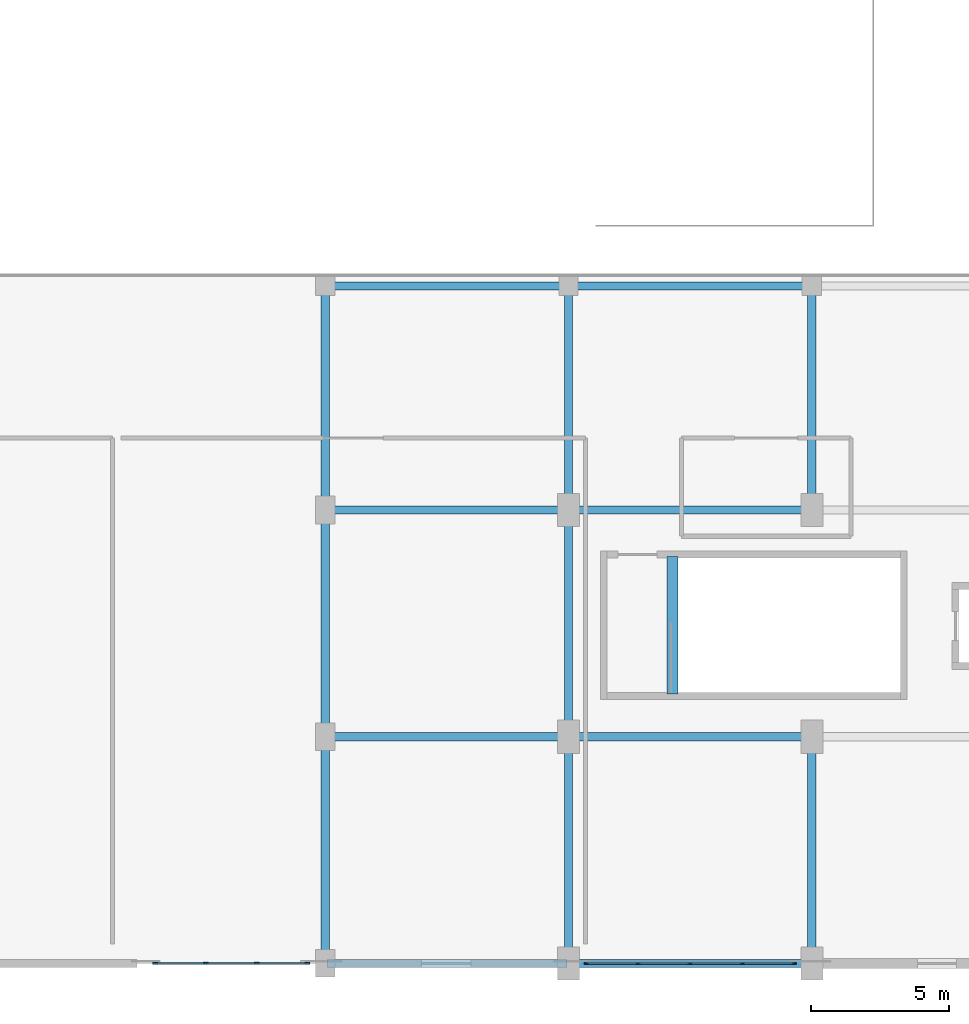
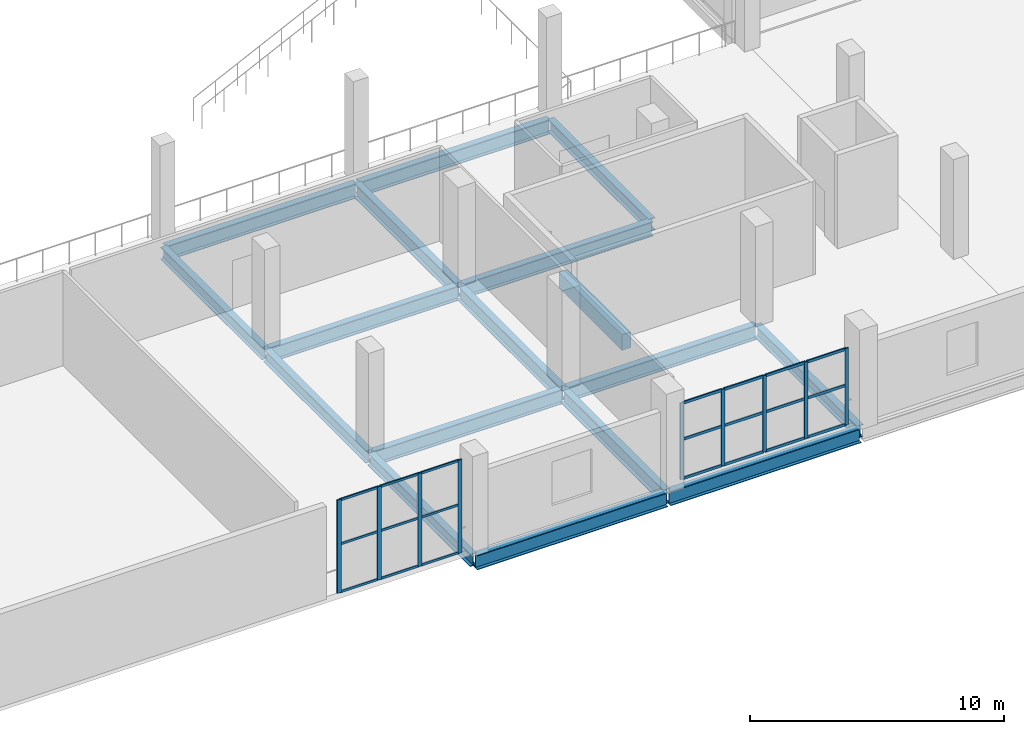
# One storey, part 32 of 104: 30 members, 17 beams, 2 elements without a shape of their own.
"""IFC4 building model written with IfcOpenShell, lengths in metres."""

from ifc_helpers import new_model, si_unit, direction, frame, origin, origin_2d, place, context, subcontext, project, spatial, rectangle, i_section, extrude, material, material_profile, profile_set, type_object, element, aggregate, save


model = new_model("IFC4")

# Units and contexts
model_context = context("Model", 3, precision=1e-05, world=origin(), true_north=direction((0.0, 1.0)))
body_context = subcontext(model_context, "Body", "Model", "MODEL_VIEW")
ifc_project = project(units=[si_unit("LENGTHUNIT", "METRE"), si_unit("AREAUNIT", "SQUARE_METRE"), si_unit("VOLUMEUNIT", "CUBIC_METRE"), si_unit("PLANEANGLEUNIT", "RADIAN"), si_unit("MASSUNIT", "GRAM", prefix="KILO")], contexts=[model_context])

# Site, building, storey
site_placement = place(None, origin())
site = spatial("IfcSite", under=ifc_project, at=site_placement, CompositionType="ELEMENT")
building_placement = place(site_placement, origin())
building = spatial("IfcBuilding", under=site, at=building_placement, Name="Koshinbarg Plaza Stadium", CompositionType="ELEMENT")
storey_placement = place(building_placement, frame((0.0, 0.0, 19.800048828125)))
storey = spatial("IfcBuildingStorey", under=building, at=storey_placement, Name="L04", CompositionType="ELEMENT", Elevation=19.800048828125)

# Beams
ifc_material_1 = material(Name="Concrete C40/50", Category="concrete")
ifc_material_profile_1 = material_profile(ifc_material_1, rectangle(XDim=0.39990234375, YDim=0.75, at=origin_2d()), Name="RC 400x750")
ifc_profile_set_1 = profile_set([ifc_material_profile_1], Name="Concrete C40/50")
beam_type_1 = type_object("IfcBeamType", Name="BM-RCG-03", PredefinedType="USERDEFINED", material=ifc_profile_set_1)
beam_1_placement = place(storey_placement, frame((175.360107421875, 9.75, -0.375), z_axis=(0.0, 1.0, 0.0), x_axis=(-1.0, 0.0, 0.0)))
element("IfcBeam", 1, at=beam_1_placement, inside=storey, type_object=beam_type_1, Name="L04 stair landing header beam C14", ObjectType="GIRDER", PredefinedType="USERDEFINED", context=body_context, shape_type="SweptSolid", body=[
    extrude(rectangle(XDim=0.39990234375, YDim=0.75, at=origin_2d()), origin(), (0.0, 0.0, 1.0), 4.969970703125),
])
ifc_material_2 = material(Name="Steel S355", Category="steel")
ifc_material_profile_2 = material_profile(ifc_material_2, i_section(OverallWidth=0.300048828125, OverallDepth=0.60009765625, WebThickness=0.015380859375, FlangeThickness=0.030029296875, at=origin_2d()), Name="HEB 600")
ifc_profile_set_2 = profile_set([ifc_material_profile_2], Name="Steel S355")
beam_type_2 = type_object("IfcBeamType", Name="BM-SGIR-02", PredefinedType="USERDEFINED", material=ifc_profile_set_2)
beam_2_placement = place(storey_placement, frame((162.800048828125, 0.06005859375, -0.60009765625), z_axis=(0.0, 1.0, 0.0), x_axis=(-1.0, 0.0, 0.0)))
element("IfcBeam", 2, at=beam_2_placement, inside=storey, type_object=beam_type_2, Name="L04 Y girder 15/A-B", ObjectType="GIRDER", PredefinedType="USERDEFINED", context=body_context, shape_type="SweptSolid", body=[
    extrude(i_section(OverallWidth=0.300048828125, OverallDepth=0.60009765625, WebThickness=0.015380859375, FlangeThickness=0.030029296875, at=origin_2d()), origin(), (0.0, 0.0, 1.0), 8.079833984375),
])
beam_3_placement = place(storey_placement, frame((162.800048828125, 8.260009765625, -0.60009765625), z_axis=(0.0, 1.0, 0.0), x_axis=(-1.0, 0.0, 0.0)))
element("IfcBeam", 3, at=beam_3_placement, inside=storey, type_object=beam_type_2, Name="L04 Y girder 15/B-C", ObjectType="GIRDER", PredefinedType="USERDEFINED", context=body_context, shape_type="SweptSolid", body=[
    extrude(i_section(OverallWidth=0.300048828125, OverallDepth=0.60009765625, WebThickness=0.015380859375, FlangeThickness=0.030029296875, at=origin_2d()), origin(), (0.0, 0.0, 1.0), 8.080078125),
])
beam_4_placement = place(storey_placement, frame((162.800048828125, 16.4599609375, -0.60009765625), z_axis=(0.0, 1.0, 0.0), x_axis=(-1.0, 0.0, 0.0)))
element("IfcBeam", 4, at=beam_4_placement, inside=storey, type_object=beam_type_2, Name="L04 Y girder 15/C-D", ObjectType="GIRDER", PredefinedType="USERDEFINED", context=body_context, shape_type="SweptSolid", body=[
    extrude(i_section(OverallWidth=0.300048828125, OverallDepth=0.60009765625, WebThickness=0.015380859375, FlangeThickness=0.030029296875, at=origin_2d()), origin(), (0.0, 0.0, 1.0), 7.97998046875),
])
beam_5_placement = place(storey_placement, frame((180.39990234375, 0.06005859375, -0.60009765625), z_axis=(0.0, 1.0, 0.0), x_axis=(-1.0, 0.0, 0.0)))
element("IfcBeam", 5, at=beam_5_placement, inside=storey, type_object=beam_type_2, Name="L04 Y girder 17/A-B", ObjectType="GIRDER", PredefinedType="USERDEFINED", context=body_context, shape_type="SweptSolid", body=[
    extrude(i_section(OverallWidth=0.300048828125, OverallDepth=0.60009765625, WebThickness=0.015380859375, FlangeThickness=0.030029296875, at=origin_2d()), origin(), (0.0, 0.0, 1.0), 8.079833984375),
])
beam_6_placement = place(storey_placement, frame((180.39990234375, 16.4599609375, -0.60009765625), z_axis=(0.0, 1.0, 0.0), x_axis=(-1.0, 0.0, 0.0)))
element("IfcBeam", 6, at=beam_6_placement, inside=storey, type_object=beam_type_2, Name="L04 Y girder 17/C-D", ObjectType="GIRDER", PredefinedType="USERDEFINED", context=body_context, shape_type="SweptSolid", body=[
    extrude(i_section(OverallWidth=0.300048828125, OverallDepth=0.60009765625, WebThickness=0.015380859375, FlangeThickness=0.030029296875, at=origin_2d()), origin(), (0.0, 0.0, 1.0), 7.97998046875),
])
ifc_material_profile_3 = material_profile(ifc_material_2, i_section(OverallWidth=0.300048828125, OverallDepth=0.699951171875, WebThickness=0.01708984375, FlangeThickness=0.031982421875, at=origin_2d()), Name="HEB 700")
ifc_profile_set_3 = profile_set([ifc_material_profile_3], Name="Steel S355")
beam_type_3 = type_object("IfcBeamType", Name="BM-SGIR-03", PredefinedType="USERDEFINED", material=ifc_profile_set_3)
beam_7_placement = place(storey_placement, frame((162.860107421875, 0.0, -0.650146484375), z_axis=(1.0, 0.0, 0.0), x_axis=(0.0, 1.0, 0.0)))
element("IfcBeam", 7, at=beam_7_placement, inside=storey, type_object=beam_type_3, Name="L04 X girder A/15-16", ObjectType="GIRDER", PredefinedType="USERDEFINED", context=body_context, shape_type="SweptSolid", body=[
    extrude(i_section(OverallWidth=0.300048828125, OverallDepth=0.699951171875, WebThickness=0.01708984375, FlangeThickness=0.031982421875, at=origin_2d()), origin(), (0.0, 0.0, 1.0), 8.679931640625),
])
beam_8_placement = place(storey_placement, frame((171.659912109375, 0.0, -0.650146484375), z_axis=(1.0, 0.0, 0.0), x_axis=(0.0, 1.0, 0.0)))
element("IfcBeam", 8, at=beam_8_placement, inside=storey, type_object=beam_type_3, Name="L04 X girder A/16-17", ObjectType="GIRDER", PredefinedType="USERDEFINED", context=body_context, shape_type="SweptSolid", body=[
    extrude(i_section(OverallWidth=0.300048828125, OverallDepth=0.699951171875, WebThickness=0.01708984375, FlangeThickness=0.031982421875, at=origin_2d()), origin(), (0.0, 0.0, 1.0), 8.68017578125),
])
beam_9_placement = place(storey_placement, frame((162.860107421875, 8.199951171875, -0.650146484375), z_axis=(1.0, 0.0, 0.0), x_axis=(0.0, 1.0, 0.0)))
element("IfcBeam", 9, at=beam_9_placement, inside=storey, type_object=beam_type_3, Name="L04 X girder B/15-16", ObjectType="GIRDER", PredefinedType="USERDEFINED", context=body_context, shape_type="SweptSolid", body=[
    extrude(i_section(OverallWidth=0.300048828125, OverallDepth=0.699951171875, WebThickness=0.01708984375, FlangeThickness=0.031982421875, at=origin_2d()), origin(), (0.0, 0.0, 1.0), 8.679931640625),
])
beam_10_placement = place(storey_placement, frame((171.659912109375, 8.199951171875, -0.650146484375), z_axis=(1.0, 0.0, 0.0), x_axis=(0.0, 1.0, 0.0)))
element("IfcBeam", 10, at=beam_10_placement, inside=storey, type_object=beam_type_3, Name="L04 X girder B/16-17", ObjectType="GIRDER", PredefinedType="USERDEFINED", context=body_context, shape_type="SweptSolid", body=[
    extrude(i_section(OverallWidth=0.300048828125, OverallDepth=0.699951171875, WebThickness=0.01708984375, FlangeThickness=0.031982421875, at=origin_2d()), origin(), (0.0, 0.0, 1.0), 8.68017578125),
])
beam_11_placement = place(storey_placement, frame((162.860107421875, 16.39990234375, -0.650146484375), z_axis=(1.0, 0.0, 0.0), x_axis=(0.0, 1.0, 0.0)))
element("IfcBeam", 11, at=beam_11_placement, inside=storey, type_object=beam_type_3, Name="L04 X girder C/15-16", ObjectType="GIRDER", PredefinedType="USERDEFINED", context=body_context, shape_type="SweptSolid", body=[
    extrude(i_section(OverallWidth=0.300048828125, OverallDepth=0.699951171875, WebThickness=0.01708984375, FlangeThickness=0.031982421875, at=origin_2d()), origin(), (0.0, 0.0, 1.0), 8.679931640625),
])
beam_12_placement = place(storey_placement, frame((171.659912109375, 16.39990234375, -0.650146484375), z_axis=(1.0, 0.0, 0.0), x_axis=(0.0, 1.0, 0.0)))
element("IfcBeam", 12, at=beam_12_placement, inside=storey, type_object=beam_type_3, Name="L04 X girder C/16-17", ObjectType="GIRDER", PredefinedType="USERDEFINED", context=body_context, shape_type="SweptSolid", body=[
    extrude(i_section(OverallWidth=0.300048828125, OverallDepth=0.699951171875, WebThickness=0.01708984375, FlangeThickness=0.031982421875, at=origin_2d()), origin(), (0.0, 0.0, 1.0), 8.68017578125),
])
beam_13_placement = place(storey_placement, frame((162.860107421875, 24.5, -0.650146484375), z_axis=(1.0, 0.0, 0.0), x_axis=(0.0, 1.0, 0.0)))
element("IfcBeam", 13, at=beam_13_placement, inside=storey, type_object=beam_type_3, Name="L04 X girder D/15-16", ObjectType="GIRDER", PredefinedType="USERDEFINED", context=body_context, shape_type="SweptSolid", body=[
    extrude(i_section(OverallWidth=0.300048828125, OverallDepth=0.699951171875, WebThickness=0.01708984375, FlangeThickness=0.031982421875, at=origin_2d()), origin(), (0.0, 0.0, 1.0), 8.679931640625),
])
beam_14_placement = place(storey_placement, frame((171.659912109375, 24.5, -0.650146484375), z_axis=(1.0, 0.0, 0.0), x_axis=(0.0, 1.0, 0.0)))
element("IfcBeam", 14, at=beam_14_placement, inside=storey, type_object=beam_type_3, Name="L04 X girder D/16-17", ObjectType="GIRDER", PredefinedType="USERDEFINED", context=body_context, shape_type="SweptSolid", body=[
    extrude(i_section(OverallWidth=0.300048828125, OverallDepth=0.699951171875, WebThickness=0.01708984375, FlangeThickness=0.031982421875, at=origin_2d()), origin(), (0.0, 0.0, 1.0), 8.68017578125),
])
beam_15_placement = place(storey_placement, frame((171.60009765625, 0.06005859375, -0.650146484375), z_axis=(0.0, 1.0, 0.0), x_axis=(-1.0, 0.0, 0.0)))
element("IfcBeam", 15, at=beam_15_placement, inside=storey, type_object=beam_type_3, Name="L04 Y girder 16/A-B", ObjectType="GIRDER", PredefinedType="USERDEFINED", context=body_context, shape_type="SweptSolid", body=[
    extrude(i_section(OverallWidth=0.300048828125, OverallDepth=0.699951171875, WebThickness=0.01708984375, FlangeThickness=0.031982421875, at=origin_2d()), origin(), (0.0, 0.0, 1.0), 8.079833984375),
])
beam_16_placement = place(storey_placement, frame((171.60009765625, 8.260009765625, -0.650146484375), z_axis=(0.0, 1.0, 0.0), x_axis=(-1.0, 0.0, 0.0)))
element("IfcBeam", 16, at=beam_16_placement, inside=storey, type_object=beam_type_3, Name="L04 Y girder 16/B-C", ObjectType="GIRDER", PredefinedType="USERDEFINED", context=body_context, shape_type="SweptSolid", body=[
    extrude(i_section(OverallWidth=0.300048828125, OverallDepth=0.699951171875, WebThickness=0.01708984375, FlangeThickness=0.031982421875, at=origin_2d()), origin(), (0.0, 0.0, 1.0), 8.080078125),
])
beam_17_placement = place(storey_placement, frame((171.60009765625, 16.4599609375, -0.650146484375), z_axis=(0.0, 1.0, 0.0), x_axis=(-1.0, 0.0, 0.0)))
element("IfcBeam", 17, at=beam_17_placement, inside=storey, type_object=beam_type_3, Name="L04 Y girder 16/C-D", ObjectType="GIRDER", PredefinedType="USERDEFINED", context=body_context, shape_type="SweptSolid", body=[
    extrude(i_section(OverallWidth=0.300048828125, OverallDepth=0.699951171875, WebThickness=0.01708984375, FlangeThickness=0.031982421875, at=origin_2d()), origin(), (0.0, 0.0, 1.0), 7.97998046875),
])

# Curtain wall, members
ifc_material_3 = material(Name="Thermally broken anodised aluminium and low-E double glazing", Category="aluminium")
curtain_wall_type_1 = type_object("IfcCurtainWallType", Name="CW-SYS-10", PredefinedType="NOTDEFINED", material=ifc_material_3)
curtain_wall_1_placement = place(storey_placement, origin())
curtain_wall_1 = element("IfcCurtainWall", 18, at=curtain_wall_1_placement, inside=storey, type_object=curtain_wall_type_1, Name="L04 unitised curtain wall CW-L04-105", PredefinedType="NOTDEFINED")
ifc_material_4 = material(Name="Anodised aluminium mullion", Category="aluminium")
ifc_material_profile_4 = material_profile(ifc_material_4, rectangle(XDim=0.06005859375, YDim=0.159912109375, at=origin_2d()), Name="ALU 60x160")
ifc_profile_set_4 = profile_set([ifc_material_profile_4], Name="Anodised aluminium mullion")
member_type_1 = type_object("IfcMemberType", Name="CW-MUL-02", PredefinedType="MULLION", material=ifc_profile_set_4)
member_1_placement = place(storey_placement, frame((179.75, 0.0, 0.0), z_axis=(0.0, 0.0, 1.0), x_axis=(0.0, -1.0, 0.0)))
member_1 = element("IfcMember", 19, at=member_1_placement, type_object=member_type_1, Name="CW10 mullion 1", PredefinedType="MULLION", context=body_context, shape_type="SweptSolid", body=[
    extrude(rectangle(XDim=0.06005859375, YDim=0.159912109375, at=origin_2d()), origin(), (0.0, 0.0, 1.0), 3.679931640625),
])
member_2_placement = place(storey_placement, frame((177.889892578125, 0.0, 0.0), z_axis=(0.0, 0.0, 1.0), x_axis=(0.0, -1.0, 0.0)))
member_2 = element("IfcMember", 20, at=member_2_placement, type_object=member_type_1, Name="CW10 mullion 2", PredefinedType="MULLION", context=body_context, shape_type="SweptSolid", body=[
    extrude(rectangle(XDim=0.06005859375, YDim=0.159912109375, at=origin_2d()), origin(), (0.0, 0.0, 1.0), 3.679931640625),
])
member_3_placement = place(storey_placement, frame((176.0, 0.0, 0.0), z_axis=(0.0, 0.0, 1.0), x_axis=(0.0, -1.0, 0.0)))
member_3 = element("IfcMember", 21, at=member_3_placement, type_object=member_type_1, Name="CW10 mullion 3", PredefinedType="MULLION", context=body_context, shape_type="SweptSolid", body=[
    extrude(rectangle(XDim=0.06005859375, YDim=0.159912109375, at=origin_2d()), origin(), (0.0, 0.0, 1.0), 3.679931640625),
])
member_4_placement = place(storey_placement, frame((174.110107421875, 0.0, 0.0), z_axis=(0.0, 0.0, 1.0), x_axis=(0.0, -1.0, 0.0)))
member_4 = element("IfcMember", 22, at=member_4_placement, type_object=member_type_1, Name="CW10 mullion 4", PredefinedType="MULLION", context=body_context, shape_type="SweptSolid", body=[
    extrude(rectangle(XDim=0.06005859375, YDim=0.159912109375, at=origin_2d()), origin(), (0.0, 0.0, 1.0), 3.679931640625),
])
member_5_placement = place(storey_placement, frame((172.25, 0.0, 0.0), z_axis=(0.0, 0.0, 1.0), x_axis=(0.0, -1.0, 0.0)))
member_5 = element("IfcMember", 23, at=member_5_placement, type_object=member_type_1, Name="CW10 mullion 5", PredefinedType="MULLION", context=body_context, shape_type="SweptSolid", body=[
    extrude(rectangle(XDim=0.06005859375, YDim=0.159912109375, at=origin_2d()), origin(), (0.0, 0.0, 1.0), 3.679931640625),
])

curtain_wall_type_2 = type_object("IfcCurtainWallType", Name="CW-SYS-11", PredefinedType="NOTDEFINED", material=ifc_material_3)
curtain_wall_2_placement = place(storey_placement, origin())
curtain_wall_2 = element("IfcCurtainWall", 24, at=curtain_wall_2_placement, inside=storey, type_object=curtain_wall_type_2, Name="L04 unitised curtain wall CW-L04-106", PredefinedType="NOTDEFINED")
ifc_material_profile_5 = material_profile(ifc_material_4, rectangle(XDim=0.070068359375, YDim=0.179931640625, at=origin_2d()), Name="ALU 70x180")
ifc_profile_set_5 = profile_set([ifc_material_profile_5], Name="Anodised aluminium mullion")
member_type_2 = type_object("IfcMemberType", Name="CW-MUL-03", PredefinedType="MULLION", material=ifc_profile_set_5)
member_6_placement = place(storey_placement, frame((162.14990234375, 0.0, 0.0), z_axis=(0.0, 0.0, 1.0), x_axis=(0.0, -1.0, 0.0)))
member_6 = element("IfcMember", 25, at=member_6_placement, type_object=member_type_2, Name="CW11 mullion 1", PredefinedType="MULLION", context=body_context, shape_type="SweptSolid", body=[
    extrude(rectangle(XDim=0.070068359375, YDim=0.179931640625, at=origin_2d()), origin(), (0.0, 0.0, 1.0), 4.47998046875),
])
member_7_placement = place(storey_placement, frame((160.32666015625, 0.0, 0.0), z_axis=(0.0, 0.0, 1.0), x_axis=(0.0, -1.0, 0.0)))
member_7 = element("IfcMember", 26, at=member_7_placement, type_object=member_type_2, Name="CW11 mullion 2", PredefinedType="MULLION", context=body_context, shape_type="SweptSolid", body=[
    extrude(rectangle(XDim=0.070068359375, YDim=0.179931640625, at=origin_2d()), origin(), (0.0, 0.0, 1.0), 4.47998046875),
])
member_8_placement = place(storey_placement, frame((158.473388671875, 0.0, 0.0), z_axis=(0.0, 0.0, 1.0), x_axis=(0.0, -1.0, 0.0)))
member_8 = element("IfcMember", 27, at=member_8_placement, type_object=member_type_2, Name="CW11 mullion 3", PredefinedType="MULLION", context=body_context, shape_type="SweptSolid", body=[
    extrude(rectangle(XDim=0.070068359375, YDim=0.179931640625, at=origin_2d()), origin(), (0.0, 0.0, 1.0), 4.47998046875),
])
member_9_placement = place(storey_placement, frame((156.64990234375, 0.0, 0.0), z_axis=(0.0, 0.0, 1.0), x_axis=(0.0, -1.0, 0.0)))
member_9 = element("IfcMember", 28, at=member_9_placement, type_object=member_type_2, Name="CW11 mullion 4", PredefinedType="MULLION", context=body_context, shape_type="SweptSolid", body=[
    extrude(rectangle(XDim=0.070068359375, YDim=0.179931640625, at=origin_2d()), origin(), (0.0, 0.0, 1.0), 4.47998046875),
])
ifc_material_5 = material(Name="Anodised aluminium transom", Category="aluminium")
ifc_material_profile_6 = material_profile(ifc_material_5, rectangle(XDim=0.06005859375, YDim=0.110107421875, at=origin_2d()), Name="ALU 60x110")
ifc_profile_set_6 = profile_set([ifc_material_profile_6], Name="Anodised aluminium transom")
member_type_3 = type_object("IfcMemberType", Name="CW-TRN-01", PredefinedType="USERDEFINED", material=ifc_profile_set_6)
member_10_placement = place(storey_placement, frame((162.1201171875, 0.0, 0.030029296875), z_axis=(-1.0, 0.0, 0.0), x_axis=(0.0, -1.0, 0.0)))
member_10 = element("IfcMember", 29, at=member_10_placement, type_object=member_type_3, Name="CW11 transom 1.1", ObjectType="TRANSOM", PredefinedType="USERDEFINED", context=body_context, shape_type="SweptSolid", body=[
    extrude(rectangle(XDim=0.06005859375, YDim=0.110107421875, at=origin_2d()), origin(), (0.0, 0.0, 1.0), 1.763427734375),
])
member_11_placement = place(storey_placement, frame((162.1201171875, 0.0, 2.32958984375), z_axis=(-1.0, 0.0, 0.0), x_axis=(0.0, -1.0, 0.0)))
member_11 = element("IfcMember", 30, at=member_11_placement, type_object=member_type_3, Name="CW11 transom 1.2", ObjectType="TRANSOM", PredefinedType="USERDEFINED", context=body_context, shape_type="SweptSolid", body=[
    extrude(rectangle(XDim=0.06005859375, YDim=0.110107421875, at=origin_2d()), origin(), (0.0, 0.0, 1.0), 1.763427734375),
])
member_12_placement = place(storey_placement, frame((162.1201171875, 0.0, 4.449951171875), z_axis=(-1.0, 0.0, 0.0), x_axis=(0.0, -1.0, 0.0)))
member_12 = element("IfcMember", 31, at=member_12_placement, type_object=member_type_3, Name="CW11 transom 1.3", ObjectType="TRANSOM", PredefinedType="USERDEFINED", context=body_context, shape_type="SweptSolid", body=[
    extrude(rectangle(XDim=0.06005859375, YDim=0.110107421875, at=origin_2d()), origin(), (0.0, 0.0, 1.0), 1.763427734375),
])
member_13_placement = place(storey_placement, frame((160.296630859375, 0.0, 0.030029296875), z_axis=(-1.0, 0.0, 0.0), x_axis=(0.0, -1.0, 0.0)))
member_13 = element("IfcMember", 32, at=member_13_placement, type_object=member_type_3, Name="CW11 transom 2.1", ObjectType="TRANSOM", PredefinedType="USERDEFINED", context=body_context, shape_type="SweptSolid", body=[
    extrude(rectangle(XDim=0.06005859375, YDim=0.110107421875, at=origin_2d()), origin(), (0.0, 0.0, 1.0), 1.793212890625),
])
member_14_placement = place(storey_placement, frame((160.296630859375, 0.0, 2.32958984375), z_axis=(-1.0, 0.0, 0.0), x_axis=(0.0, -1.0, 0.0)))
member_14 = element("IfcMember", 33, at=member_14_placement, type_object=member_type_3, Name="CW11 transom 2.2", ObjectType="TRANSOM", PredefinedType="USERDEFINED", context=body_context, shape_type="SweptSolid", body=[
    extrude(rectangle(XDim=0.06005859375, YDim=0.110107421875, at=origin_2d()), origin(), (0.0, 0.0, 1.0), 1.793212890625),
])
member_15_placement = place(storey_placement, frame((160.296630859375, 0.0, 4.449951171875), z_axis=(-1.0, 0.0, 0.0), x_axis=(0.0, -1.0, 0.0)))
member_15 = element("IfcMember", 34, at=member_15_placement, type_object=member_type_3, Name="CW11 transom 2.3", ObjectType="TRANSOM", PredefinedType="USERDEFINED", context=body_context, shape_type="SweptSolid", body=[
    extrude(rectangle(XDim=0.06005859375, YDim=0.110107421875, at=origin_2d()), origin(), (0.0, 0.0, 1.0), 1.793212890625),
])
member_16_placement = place(storey_placement, frame((158.443359375, 0.0, 0.030029296875), z_axis=(-1.0, 0.0, 0.0), x_axis=(0.0, -1.0, 0.0)))
member_16 = element("IfcMember", 35, at=member_16_placement, type_object=member_type_3, Name="CW11 transom 3.1", ObjectType="TRANSOM", PredefinedType="USERDEFINED", context=body_context, shape_type="SweptSolid", body=[
    extrude(rectangle(XDim=0.06005859375, YDim=0.110107421875, at=origin_2d()), origin(), (0.0, 0.0, 1.0), 1.763427734375),
])
member_17_placement = place(storey_placement, frame((158.443359375, 0.0, 2.32958984375), z_axis=(-1.0, 0.0, 0.0), x_axis=(0.0, -1.0, 0.0)))
member_17 = element("IfcMember", 36, at=member_17_placement, type_object=member_type_3, Name="CW11 transom 3.2", ObjectType="TRANSOM", PredefinedType="USERDEFINED", context=body_context, shape_type="SweptSolid", body=[
    extrude(rectangle(XDim=0.06005859375, YDim=0.110107421875, at=origin_2d()), origin(), (0.0, 0.0, 1.0), 1.763427734375),
])
member_18_placement = place(storey_placement, frame((158.443359375, 0.0, 4.449951171875), z_axis=(-1.0, 0.0, 0.0), x_axis=(0.0, -1.0, 0.0)))
member_18 = element("IfcMember", 37, at=member_18_placement, type_object=member_type_3, Name="CW11 transom 3.3", ObjectType="TRANSOM", PredefinedType="USERDEFINED", context=body_context, shape_type="SweptSolid", body=[
    extrude(rectangle(XDim=0.06005859375, YDim=0.110107421875, at=origin_2d()), origin(), (0.0, 0.0, 1.0), 1.763427734375),
])
aggregate(curtain_wall_2, [member_6, member_7, member_8, member_9, member_10, member_11, member_12, member_13, member_14, member_15, member_16, member_17, member_18])

# Member
ifc_material_profile_7 = material_profile(ifc_material_5, rectangle(XDim=0.06005859375, YDim=0.1298828125, at=origin_2d()), Name="ALU 60x130")
ifc_profile_set_7 = profile_set([ifc_material_profile_7], Name="Anodised aluminium transom")
member_type_4 = type_object("IfcMemberType", Name="CW-TRN-02", PredefinedType="USERDEFINED", material=ifc_profile_set_7)
member_19_placement = place(storey_placement, frame((179.719970703125, 0.0, 0.030029296875), z_axis=(-1.0, 0.0, 0.0), x_axis=(0.0, -1.0, 0.0)))
member_19 = element("IfcMember", 38, at=member_19_placement, type_object=member_type_4, Name="CW10 transom 1.1", ObjectType="TRANSOM", PredefinedType="USERDEFINED", context=body_context, shape_type="SweptSolid", body=[
    extrude(rectangle(XDim=0.06005859375, YDim=0.1298828125, at=origin_2d()), origin(), (0.0, 0.0, 1.0), 1.800048828125),
])

member_20_placement = place(storey_placement, frame((179.719970703125, 0.0, 1.91357421875), z_axis=(-1.0, 0.0, 0.0), x_axis=(0.0, -1.0, 0.0)))
member_20 = element("IfcMember", 39, at=member_20_placement, type_object=member_type_4, Name="CW10 transom 1.2", ObjectType="TRANSOM", PredefinedType="USERDEFINED", context=body_context, shape_type="SweptSolid", body=[
    extrude(rectangle(XDim=0.06005859375, YDim=0.1298828125, at=origin_2d()), origin(), (0.0, 0.0, 1.0), 1.800048828125),
])

member_21_placement = place(storey_placement, frame((179.719970703125, 0.0, 3.64990234375), z_axis=(-1.0, 0.0, 0.0), x_axis=(0.0, -1.0, 0.0)))
member_21 = element("IfcMember", 40, at=member_21_placement, type_object=member_type_4, Name="CW10 transom 1.3", ObjectType="TRANSOM", PredefinedType="USERDEFINED", context=body_context, shape_type="SweptSolid", body=[
    extrude(rectangle(XDim=0.06005859375, YDim=0.1298828125, at=origin_2d()), origin(), (0.0, 0.0, 1.0), 1.800048828125),
])

member_22_placement = place(storey_placement, frame((177.860107421875, 0.0, 0.030029296875), z_axis=(-1.0, 0.0, 0.0), x_axis=(0.0, -1.0, 0.0)))
member_22 = element("IfcMember", 41, at=member_22_placement, type_object=member_type_4, Name="CW10 transom 2.1", ObjectType="TRANSOM", PredefinedType="USERDEFINED", context=body_context, shape_type="SweptSolid", body=[
    extrude(rectangle(XDim=0.06005859375, YDim=0.1298828125, at=origin_2d()), origin(), (0.0, 0.0, 1.0), 1.830078125),
])

member_23_placement = place(storey_placement, frame((177.860107421875, 0.0, 1.91357421875), z_axis=(-1.0, 0.0, 0.0), x_axis=(0.0, -1.0, 0.0)))
member_23 = element("IfcMember", 42, at=member_23_placement, type_object=member_type_4, Name="CW10 transom 2.2", ObjectType="TRANSOM", PredefinedType="USERDEFINED", context=body_context, shape_type="SweptSolid", body=[
    extrude(rectangle(XDim=0.06005859375, YDim=0.1298828125, at=origin_2d()), origin(), (0.0, 0.0, 1.0), 1.830078125),
])

member_24_placement = place(storey_placement, frame((177.860107421875, 0.0, 3.64990234375), z_axis=(-1.0, 0.0, 0.0), x_axis=(0.0, -1.0, 0.0)))
member_24 = element("IfcMember", 43, at=member_24_placement, type_object=member_type_4, Name="CW10 transom 2.3", ObjectType="TRANSOM", PredefinedType="USERDEFINED", context=body_context, shape_type="SweptSolid", body=[
    extrude(rectangle(XDim=0.06005859375, YDim=0.1298828125, at=origin_2d()), origin(), (0.0, 0.0, 1.0), 1.830078125),
])

member_25_placement = place(storey_placement, frame((175.969970703125, 0.0, 0.030029296875), z_axis=(-1.0, 0.0, 0.0), x_axis=(0.0, -1.0, 0.0)))
member_25 = element("IfcMember", 44, at=member_25_placement, type_object=member_type_4, Name="CW10 transom 3.1", ObjectType="TRANSOM", PredefinedType="USERDEFINED", context=body_context, shape_type="SweptSolid", body=[
    extrude(rectangle(XDim=0.06005859375, YDim=0.1298828125, at=origin_2d()), origin(), (0.0, 0.0, 1.0), 1.830078125),
])

member_26_placement = place(storey_placement, frame((175.969970703125, 0.0, 1.91357421875), z_axis=(-1.0, 0.0, 0.0), x_axis=(0.0, -1.0, 0.0)))
member_26 = element("IfcMember", 45, at=member_26_placement, type_object=member_type_4, Name="CW10 transom 3.2", ObjectType="TRANSOM", PredefinedType="USERDEFINED", context=body_context, shape_type="SweptSolid", body=[
    extrude(rectangle(XDim=0.06005859375, YDim=0.1298828125, at=origin_2d()), origin(), (0.0, 0.0, 1.0), 1.830078125),
])

member_27_placement = place(storey_placement, frame((175.969970703125, 0.0, 3.64990234375), z_axis=(-1.0, 0.0, 0.0), x_axis=(0.0, -1.0, 0.0)))
member_27 = element("IfcMember", 46, at=member_27_placement, type_object=member_type_4, Name="CW10 transom 3.3", ObjectType="TRANSOM", PredefinedType="USERDEFINED", context=body_context, shape_type="SweptSolid", body=[
    extrude(rectangle(XDim=0.06005859375, YDim=0.1298828125, at=origin_2d()), origin(), (0.0, 0.0, 1.0), 1.830078125),
])

member_28_placement = place(storey_placement, frame((174.080078125, 0.0, 0.030029296875), z_axis=(-1.0, 0.0, 0.0), x_axis=(0.0, -1.0, 0.0)))
member_28 = element("IfcMember", 47, at=member_28_placement, type_object=member_type_4, Name="CW10 transom 4.1", ObjectType="TRANSOM", PredefinedType="USERDEFINED", context=body_context, shape_type="SweptSolid", body=[
    extrude(rectangle(XDim=0.06005859375, YDim=0.1298828125, at=origin_2d()), origin(), (0.0, 0.0, 1.0), 1.800048828125),
])

member_29_placement = place(storey_placement, frame((174.080078125, 0.0, 1.91357421875), z_axis=(-1.0, 0.0, 0.0), x_axis=(0.0, -1.0, 0.0)))
member_29 = element("IfcMember", 48, at=member_29_placement, type_object=member_type_4, Name="CW10 transom 4.2", ObjectType="TRANSOM", PredefinedType="USERDEFINED", context=body_context, shape_type="SweptSolid", body=[
    extrude(rectangle(XDim=0.06005859375, YDim=0.1298828125, at=origin_2d()), origin(), (0.0, 0.0, 1.0), 1.800048828125),
])

member_30_placement = place(storey_placement, frame((174.080078125, 0.0, 3.64990234375), z_axis=(-1.0, 0.0, 0.0), x_axis=(0.0, -1.0, 0.0)))
member_30 = element("IfcMember", 49, at=member_30_placement, type_object=member_type_4, Name="CW10 transom 4.3", ObjectType="TRANSOM", PredefinedType="USERDEFINED", context=body_context, shape_type="SweptSolid", body=[
    extrude(rectangle(XDim=0.06005859375, YDim=0.1298828125, at=origin_2d()), origin(), (0.0, 0.0, 1.0), 1.800048828125),
])

aggregate(curtain_wall_1, [member_1, member_2, member_3, member_4, member_5, member_19, member_20, member_21, member_22, member_23, member_24, member_25, member_26, member_27, member_28, member_29, member_30])

save(model, "model.ifc")
